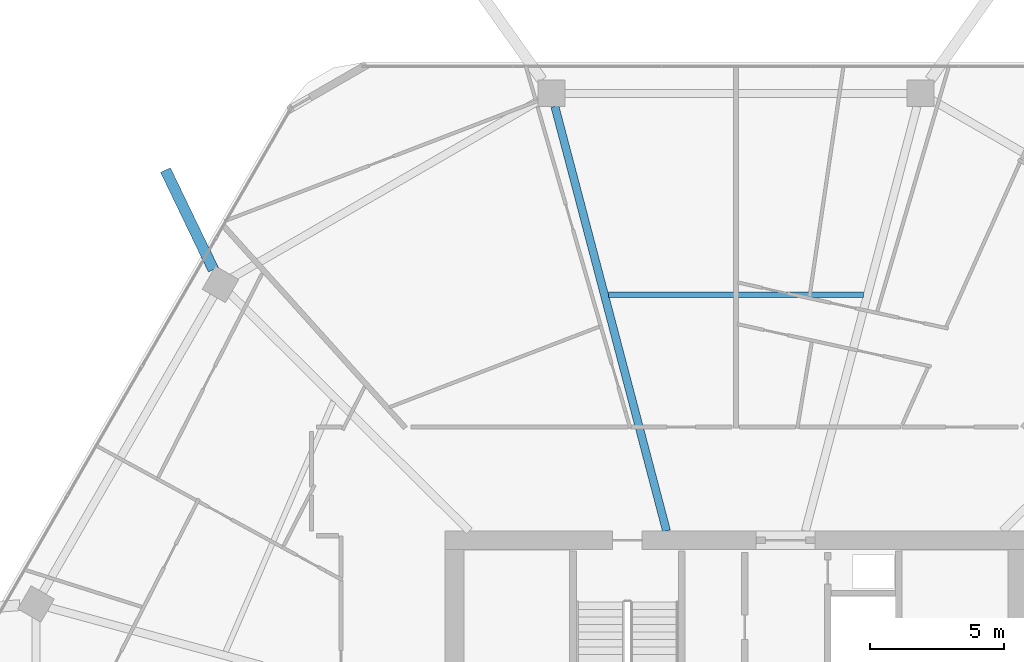
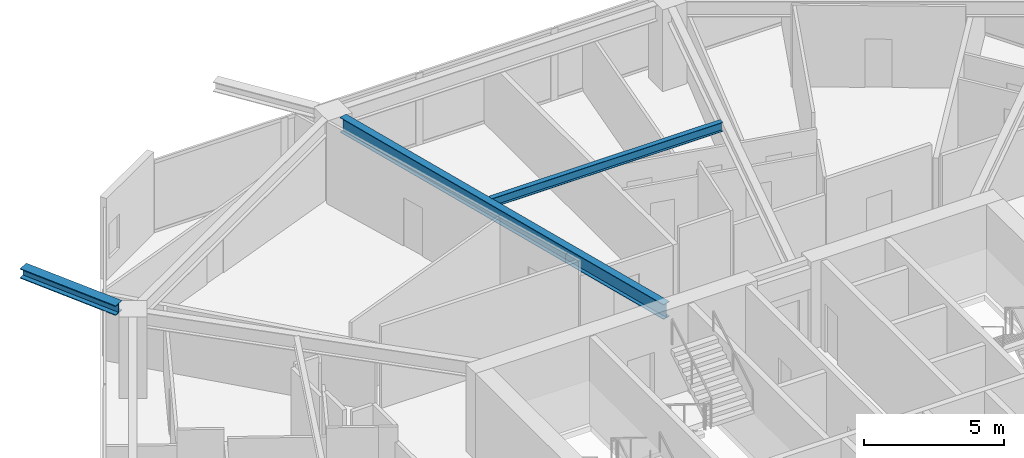
# One storey, part 12 of 26: 3 beams.
"""IFC4 building model written with IfcOpenShell, lengths in metres."""

from ifc_helpers import new_model, si_unit, direction, frame, origin, origin_2d, place, context, subcontext, project, spatial, i_section, extrude, material, material_profile, profile_set, type_object, element, save


model = new_model("IFC4")

# Units and contexts
model_context = context("Model", 3, precision=1e-05, world=origin(), true_north=direction((0.0, 1.0)))
body_context = subcontext(model_context, "Body", "Model", "MODEL_VIEW")
ifc_project = project(units=[si_unit("LENGTHUNIT", "METRE"), si_unit("AREAUNIT", "SQUARE_METRE"), si_unit("VOLUMEUNIT", "CUBIC_METRE"), si_unit("PLANEANGLEUNIT", "RADIAN"), si_unit("MASSUNIT", "GRAM", prefix="KILO")], contexts=[model_context])

# Site, building, storey
site_placement = place(None, origin())
site = spatial("IfcSite", under=ifc_project, at=site_placement, CompositionType="ELEMENT")
building_placement = place(site_placement, origin())
building = spatial("IfcBuilding", under=site, at=building_placement, Name="Zuhravey Tower", CompositionType="ELEMENT")
storey_placement = place(building_placement, frame((0.0, 0.0, 158.0)))
storey = spatial("IfcBuildingStorey", under=building, at=storey_placement, Name="L39", CompositionType="ELEMENT", Elevation=158.0)

# Beams
ifc_material_1 = material(Name="Steel SM460", Category="steel")
ifc_material_profile_1 = material_profile(ifc_material_1, i_section(OverallWidth=0.406982421875, OverallDepth=0.427978515625, WebThickness=0.02001953125, FlangeThickness=0.034912109375, at=origin_2d()), Name="H-428x407x20x35")
ifc_profile_set_1 = profile_set([ifc_material_profile_1], Name="Steel SM460")
beam_type_1 = type_object("IfcBeamType", Name="Exoskeleton Node Tie Beam H428x407", PredefinedType="BEAM", material=ifc_profile_set_1)
beam_1_placement = place(storey_placement, frame((16.51025390625, 51.595458984375, 3.3359375), z_axis=(-0.433844122923, 0.900987944983, 0.0), x_axis=(-0.900987944983, -0.433844122923, 0.0)))
element("IfcBeam", 1, at=beam_1_placement, inside=storey, type_object=beam_type_1, Name="L39 Exoskeleton Node Tie NT1-05", PredefinedType="BEAM", context=body_context, shape_type="SweptSolid", body=[
    extrude(i_section(OverallWidth=0.406982421875, OverallDepth=0.427978515625, WebThickness=0.02001953125, FlangeThickness=0.034912109375, at=origin_2d()), origin(), (0.0, 0.0, 1.0), 4.120361328125),
])
ifc_material_2 = material(Name="Steel SM355", Category="steel")
ifc_material_profile_2 = material_profile(ifc_material_2, i_section(OverallWidth=0.300048828125, OverallDepth=0.64990234375, WebThickness=0.012939453125, FlangeThickness=0.02197265625, at=origin_2d()), Name="H-650x300x13x22")
ifc_profile_set_2 = profile_set([ifc_material_profile_2], Name="Steel SM355")
beam_type_2 = type_object("IfcBeamType", Name="Radial Primary Girder H650x300", PredefinedType="BEAM", material=ifc_profile_set_2)
beam_2_placement = place(storey_placement, frame((33.4091796875, 41.85302734375, 3.22509765625), z_axis=(-0.254300244998, 0.967125320418, 0.0), x_axis=(-0.967125320418, -0.254300244998, 0.0)))
element("IfcBeam", 2, at=beam_2_placement, inside=storey, type_object=beam_type_2, Name="L39 RG2 BM-L39-RAD-04", PredefinedType="BEAM", context=body_context, shape_type="SweptSolid", body=[
    extrude(i_section(OverallWidth=0.300048828125, OverallDepth=0.64990234375, WebThickness=0.012939453125, FlangeThickness=0.02197265625, at=origin_2d()), origin(), (0.0, 0.0, 1.0), 16.371826171875),
])
ifc_material_profile_3 = material_profile(ifc_material_2, i_section(OverallWidth=0.199951171875, OverallDepth=0.39990234375, WebThickness=0.008056640625, FlangeThickness=0.012939453125, at=origin_2d()), Name="H-400x200x8x13")
ifc_profile_set_3 = profile_set([ifc_material_profile_3], Name="Steel SM355")
beam_type_3 = type_object("IfcBeamType", Name="Secondary Floor Joist H400x200", PredefinedType="JOIST", material=ifc_profile_set_3)
beam_3_placement = place(storey_placement, frame((40.754150390625, 50.665771484375, 3.35009765625), z_axis=(-1.0, 0.0, 0.0), x_axis=(0.0, -1.0, 0.0)))
element("IfcBeam", 3, at=beam_3_placement, inside=storey, type_object=beam_type_3, Name="L39 SJ2 BM-L39-SJ-03-1", PredefinedType="JOIST", context=body_context, shape_type="SweptSolid", body=[
    extrude(i_section(OverallWidth=0.199951171875, OverallDepth=0.39990234375, WebThickness=0.008056640625, FlangeThickness=0.012939453125, at=origin_2d()), origin(), (0.0, 0.0, 1.0), 9.50830078125),
])

save(model, "model.ifc")
